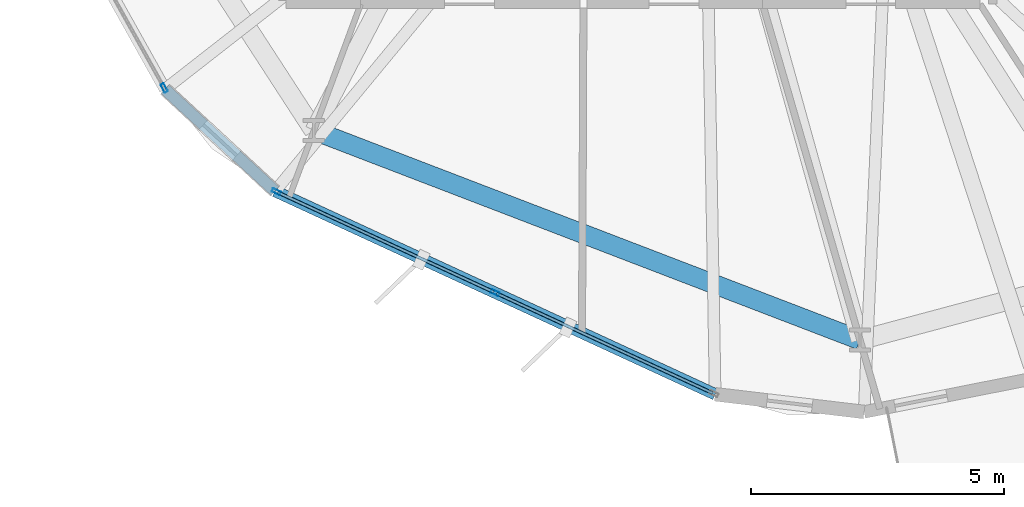
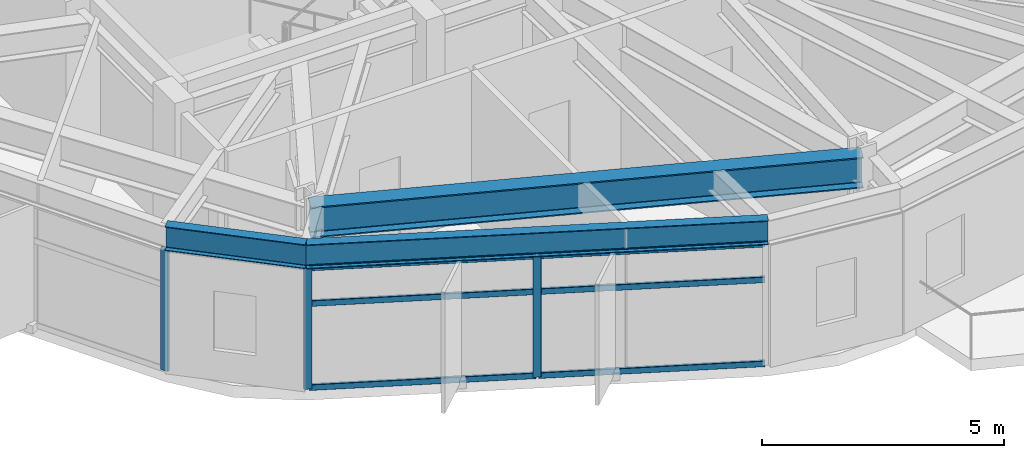
# One storey, part 2 of 22: 9 members, 3 beams, 2 elements without a shape of their own.
"""IFC4 building model written with IfcOpenShell, lengths in metres."""

from ifc_helpers import new_model, si_unit, direction, frame, origin, origin_2d, place, context, subcontext, project, spatial, hollow_rectangle, i_section, extrude, material, layer, layer_set, material_profile, profile_set, type_object, element, aggregate, save


model = new_model("IFC4")

# Units and contexts
model_context = context("Model", 3, precision=1e-05, world=origin(), true_north=direction((0.0, 1.0)))
body_context = subcontext(model_context, "Body", "Model", "MODEL_VIEW")
ifc_project = project(units=[si_unit("LENGTHUNIT", "METRE"), si_unit("AREAUNIT", "SQUARE_METRE"), si_unit("VOLUMEUNIT", "CUBIC_METRE"), si_unit("PLANEANGLEUNIT", "RADIAN"), si_unit("MASSUNIT", "GRAM", prefix="KILO")], contexts=[model_context])

# Site, building, storey
site_placement = place(None, origin())
site = spatial("IfcSite", under=ifc_project, at=site_placement, CompositionType="ELEMENT")
building_placement = place(site_placement, origin())
building = spatial("IfcBuilding", under=site, at=building_placement, Name="Soratama Intermodal Tower", CompositionType="ELEMENT")
storey_placement = place(building_placement, frame((0.0, 0.0, 70.60009765625)))
storey = spatial("IfcBuildingStorey", under=building, at=storey_placement, Name="L16", CompositionType="ELEMENT", Elevation=70.60009765625)

# Beams
ifc_material_1 = material(Name="Structural steel ASTM A992 Grade 50", Category="steel")
ifc_material_profile_1 = material_profile(ifc_material_1, i_section(OverallWidth=0.382080078125, OverallDepth=0.779052734375, WebThickness=0.01806640625, FlangeThickness=0.030029296875, FilletRadius=0.01806640625, at=origin_2d()), Name="W30X191")
ifc_profile_set_1 = profile_set([ifc_material_profile_1], Name="Structural steel ASTM A992 Grade 50")
beam_type_1 = type_object("IfcBeamType", Name="BM-RING-W30X191", PredefinedType="BEAM", material=ifc_profile_set_1)
beam_1_placement = place(storey_placement, frame((33.218994140625, 10.451904296875, 3.310302734375), z_axis=(0.933584159632, -0.358358224246, 0.0), x_axis=(0.358358224246, 0.933584159632, 0.0)))
element("IfcBeam", 1, at=beam_1_placement, inside=storey, type_object=beam_type_1, Name="BM-L16-RING-07", PredefinedType="BEAM", context=body_context, shape_type="SweptSolid", body=[
    extrude(i_section(OverallWidth=0.382080078125, OverallDepth=0.779052734375, WebThickness=0.01806640625, FlangeThickness=0.030029296875, FilletRadius=0.01806640625, at=origin_2d()), origin(), (0.0, 0.0, 1.0), 11.5693359375),
])
ifc_material_2 = material(Name="Structural steel ASTM A992 Grade 50", Category="steel")
ifc_material_profile_2 = material_profile(ifc_material_2, i_section(OverallWidth=0.22900390625, OverallDepth=0.612060546875, WebThickness=0.011962890625, FlangeThickness=0.01953125, FilletRadius=0.012939453125, at=origin_2d()), Name="W24X84")
ifc_profile_set_2 = profile_set([ifc_material_profile_2], Name="Structural steel ASTM A992 Grade 50")
beam_type_2 = type_object("IfcBeamType", Name="BM-SPN-W24X84", PredefinedType="SPANDREL", material=ifc_profile_set_2)
beam_2_placement = place(storey_placement, frame((30.27197265625, 11.26806640625, 3.393798828125), z_axis=(0.734014327735, -0.679133982863, 0.0), x_axis=(0.679133982863, 0.734014327735, 0.0)))
element("IfcBeam", 2, at=beam_2_placement, inside=storey, type_object=beam_type_2, Name="BS-L16-CRN06", PredefinedType="SPANDREL", context=body_context, shape_type="SweptSolid", body=[
    extrude(i_section(OverallWidth=0.22900390625, OverallDepth=0.612060546875, WebThickness=0.011962890625, FlangeThickness=0.01953125, FilletRadius=0.012939453125, at=origin_2d()), origin(), (0.0, 0.0, 1.0), 2.96728515625),
])
beam_3_placement = place(storey_placement, frame((32.449951171875, 9.2529296875, 3.393798828125), z_axis=(0.907925102797, -0.419132446502, 0.0), x_axis=(0.419132446502, 0.907925102797, 0.0)))
element("IfcBeam", 3, at=beam_3_placement, inside=storey, type_object=beam_type_2, Name="BS-L16-F07", PredefinedType="SPANDREL", context=body_context, shape_type="SweptSolid", body=[
    extrude(i_section(OverallWidth=0.22900390625, OverallDepth=0.612060546875, WebThickness=0.011962890625, FlangeThickness=0.01953125, FilletRadius=0.012939453125, at=origin_2d()), origin(), (0.0, 0.0, 1.0), 9.5888671875),
])

# Curtain wall, member
ifc_material_3 = material(Name="Double-glazed aluminium curtain wall", Category="aluminium")
ifc_layer = layer(ifc_material_3, 0.159912109375)
ifc_layer_set = layer_set([ifc_layer], Name="Double-glazed aluminium curtain wall")
curtain_wall_type = type_object("IfcCurtainWallType", Name="CW-SYS-2", PredefinedType="NOTDEFINED", material=ifc_layer_set)
curtain_wall_1_placement = place(storey_placement, origin())
curtain_wall_1 = element("IfcCurtainWall", 4, at=curtain_wall_1_placement, inside=storey, type_object=curtain_wall_type, Name="L16 Faceted Curtain Wall F06", PredefinedType="NOTDEFINED")
ifc_material_4 = material(Name="Anodised aluminium AA 6063-T6", Category="aluminium")
ifc_material_profile_3 = material_profile(ifc_material_4, hollow_rectangle(XDim=0.074951171875, YDim=0.179931640625, WallThickness=0.006103515625, InnerFilletRadius=0.006103515625, OuterFilletRadius=0.011962890625, at=origin_2d()), Name="CWM180X75X6")
ifc_profile_set_3 = profile_set([ifc_material_profile_3], Name="Anodised aluminium AA 6063-T6")
member_type_1 = type_object("IfcMemberType", Name="MT-CWM-2", PredefinedType="MULLION", material=ifc_profile_set_3)
member_1_placement = place(storey_placement, frame((30.257568359375, 11.29443359375, 0.0), z_axis=(0.0, 0.0, 1.0), x_axis=(0.872755737534, 0.488157169978, 0.0)))
member_1 = element("IfcMember", 5, at=member_1_placement, type_object=member_type_1, Name="CW-2 mullion 3", PredefinedType="MULLION", context=body_context, shape_type="SweptSolid", body=[
    extrude(hollow_rectangle(XDim=0.074951171875, YDim=0.179931640625, WallThickness=0.006103515625, InnerFilletRadius=0.006103515625, OuterFilletRadius=0.011962890625, at=origin_2d()), origin(), (0.0, 0.0, 1.0), 3.078857421875),
])
aggregate(curtain_wall_1, [member_1])

# Curtain wall, members
curtain_wall_2_placement = place(storey_placement, origin())
curtain_wall_2 = element("IfcCurtainWall", 6, at=curtain_wall_2_placement, inside=storey, type_object=curtain_wall_type, Name="L16 Faceted Curtain Wall F07", PredefinedType="NOTDEFINED")
member_2_placement = place(storey_placement, frame((32.476806640625, 9.24072265625, 0.0), z_axis=(0.0, 0.0, 1.0), x_axis=(0.419137529357, 0.907922756343, 0.0)))
member_2 = element("IfcMember", 7, at=member_2_placement, type_object=member_type_1, Name="CW-2 mullion 1", PredefinedType="MULLION", context=body_context, shape_type="SweptSolid", body=[
    extrude(hollow_rectangle(XDim=0.074951171875, YDim=0.179931640625, WallThickness=0.006103515625, InnerFilletRadius=0.006103515625, OuterFilletRadius=0.011962890625, at=origin_2d()), origin(), (0.0, 0.0, 1.0), 3.078857421875),
])
member_3_placement = place(storey_placement, frame((36.802978515625, 7.24365234375, 0.0), z_axis=(0.0, 0.0, 1.0), x_axis=(0.419137529357, 0.907922756343, 0.0)))
member_3 = element("IfcMember", 8, at=member_3_placement, type_object=member_type_1, Name="CW-2 mullion 2", PredefinedType="MULLION", context=body_context, shape_type="SweptSolid", body=[
    extrude(hollow_rectangle(XDim=0.074951171875, YDim=0.179931640625, WallThickness=0.006103515625, InnerFilletRadius=0.006103515625, OuterFilletRadius=0.011962890625, at=origin_2d()), origin(), (0.0, 0.0, 1.0), 3.078857421875),
])
ifc_material_5 = material(Name="Anodised aluminium AA 6063-T6", Category="aluminium")
ifc_material_profile_4 = material_profile(ifc_material_5, hollow_rectangle(XDim=0.06494140625, YDim=0.14990234375, WallThickness=0.0048828125, InnerFilletRadius=0.0048828125, OuterFilletRadius=0.010009765625, at=origin_2d()), Name="CWT150X65X5")
ifc_profile_set_4 = profile_set([ifc_material_profile_4], Name="Anodised aluminium AA 6063-T6")
member_type_2 = type_object("IfcMemberType", Name="TT-CWT-1", PredefinedType="USERDEFINED", material=ifc_profile_set_4)
member_4_placement = place(storey_placement, frame((32.504150390625, 9.228271484375, 0.02978515625), z_axis=(0.907921410223, -0.419140445266, 0.0), x_axis=(0.419140445266, 0.907921410223, 0.0)))
member_4 = element("IfcMember", 9, at=member_4_placement, type_object=member_type_2, Name="CW-2 transom 1.1", ObjectType="TRANSOM", PredefinedType="USERDEFINED", context=body_context, shape_type="SweptSolid", body=[
    extrude(hollow_rectangle(XDim=0.06494140625, YDim=0.14990234375, WallThickness=0.0048828125, InnerFilletRadius=0.0048828125, OuterFilletRadius=0.010009765625, at=origin_2d()), origin(), (0.0, 0.0, 1.0), 4.70458984375),
])
member_5_placement = place(storey_placement, frame((32.504150390625, 9.228271484375, 2.14990234375), z_axis=(0.907921410223, -0.419140445266, 0.0), x_axis=(0.419140445266, 0.907921410223, 0.0)))
member_5 = element("IfcMember", 10, at=member_5_placement, type_object=member_type_2, Name="CW-2 transom 1.2", ObjectType="TRANSOM", PredefinedType="USERDEFINED", context=body_context, shape_type="SweptSolid", body=[
    extrude(hollow_rectangle(XDim=0.06494140625, YDim=0.14990234375, WallThickness=0.0048828125, InnerFilletRadius=0.0048828125, OuterFilletRadius=0.010009765625, at=origin_2d()), origin(), (0.0, 0.0, 1.0), 4.70458984375),
])
member_6_placement = place(storey_placement, frame((32.504150390625, 9.228271484375, 3.048828125), z_axis=(0.907921410223, -0.419140445266, 0.0), x_axis=(0.419140445266, 0.907921410223, 0.0)))
member_6 = element("IfcMember", 11, at=member_6_placement, type_object=member_type_2, Name="CW-2 transom 1.3", ObjectType="TRANSOM", PredefinedType="USERDEFINED", context=body_context, shape_type="SweptSolid", body=[
    extrude(hollow_rectangle(XDim=0.06494140625, YDim=0.14990234375, WallThickness=0.0048828125, InnerFilletRadius=0.0048828125, OuterFilletRadius=0.010009765625, at=origin_2d()), origin(), (0.0, 0.0, 1.0), 4.70458984375),
])
member_7_placement = place(storey_placement, frame((36.830078125, 7.231201171875, 0.02978515625), z_axis=(0.907910779438, -0.419163472384, 0.0), x_axis=(0.419163472384, 0.907910779438, 0.0)))
member_7 = element("IfcMember", 12, at=member_7_placement, type_object=member_type_2, Name="CW-2 transom 2.1", ObjectType="TRANSOM", PredefinedType="USERDEFINED", context=body_context, shape_type="SweptSolid", body=[
    extrude(hollow_rectangle(XDim=0.06494140625, YDim=0.14990234375, WallThickness=0.0048828125, InnerFilletRadius=0.0048828125, OuterFilletRadius=0.010009765625, at=origin_2d()), origin(), (0.0, 0.0, 1.0), 4.705078125),
])
member_8_placement = place(storey_placement, frame((36.830078125, 7.231201171875, 2.14990234375), z_axis=(0.907910779438, -0.419163472384, 0.0), x_axis=(0.419163472384, 0.907910779438, 0.0)))
member_8 = element("IfcMember", 13, at=member_8_placement, type_object=member_type_2, Name="CW-2 transom 2.2", ObjectType="TRANSOM", PredefinedType="USERDEFINED", context=body_context, shape_type="SweptSolid", body=[
    extrude(hollow_rectangle(XDim=0.06494140625, YDim=0.14990234375, WallThickness=0.0048828125, InnerFilletRadius=0.0048828125, OuterFilletRadius=0.010009765625, at=origin_2d()), origin(), (0.0, 0.0, 1.0), 4.705078125),
])
member_9_placement = place(storey_placement, frame((36.830078125, 7.231201171875, 3.048828125), z_axis=(0.907910779438, -0.419163472384, 0.0), x_axis=(0.419163472384, 0.907910779438, 0.0)))
member_9 = element("IfcMember", 14, at=member_9_placement, type_object=member_type_2, Name="CW-2 transom 2.3", ObjectType="TRANSOM", PredefinedType="USERDEFINED", context=body_context, shape_type="SweptSolid", body=[
    extrude(hollow_rectangle(XDim=0.06494140625, YDim=0.14990234375, WallThickness=0.0048828125, InnerFilletRadius=0.0048828125, OuterFilletRadius=0.010009765625, at=origin_2d()), origin(), (0.0, 0.0, 1.0), 4.705078125),
])
aggregate(curtain_wall_2, [member_2, member_3, member_4, member_5, member_6, member_7, member_8, member_9])

save(model, "model.ifc")
